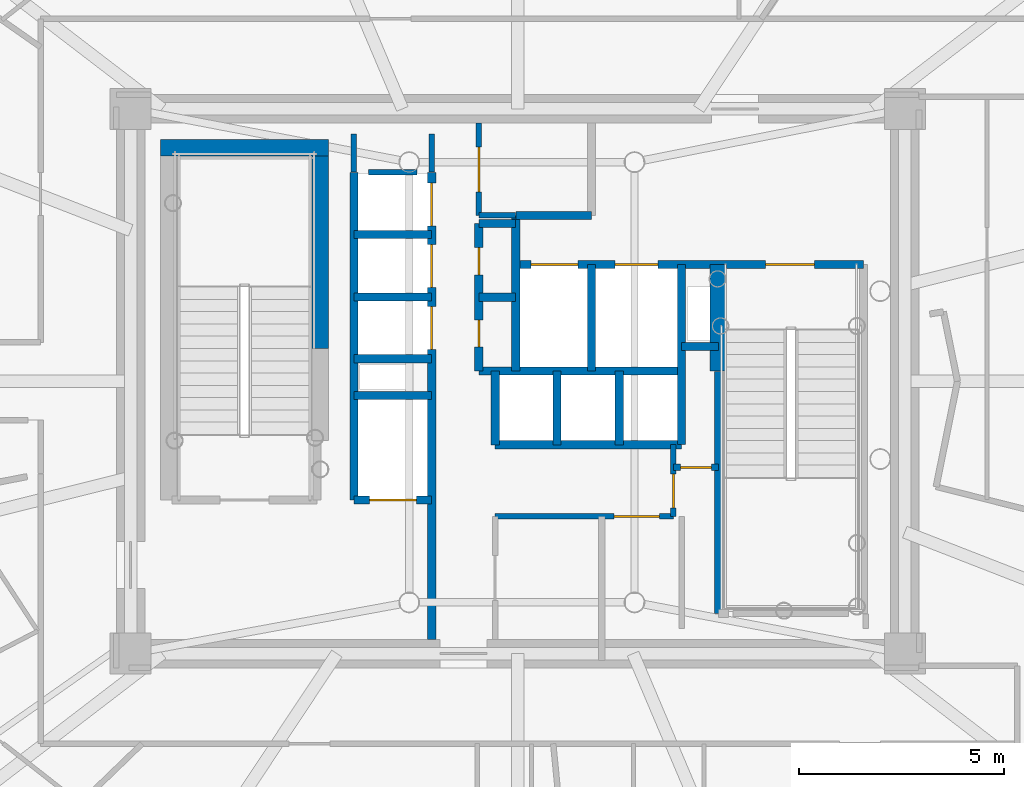
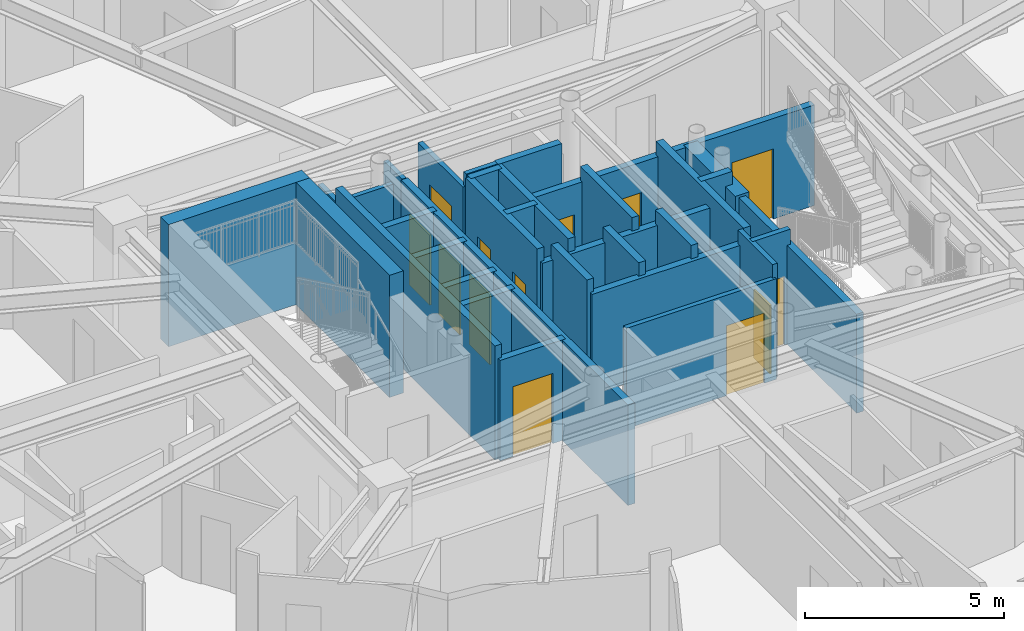
# One storey, part 11 of 21: 33 walls, 13 doors, 13 openings.
"""IFC4 building model written with IfcOpenShell, lengths in metres."""

from ifc_helpers import new_model, si_unit, direction, frame, frame_2d, origin, origin_2d, place, context, subcontext, project, spatial, rectangle, extrude, source, transform, mapped, material, layer, layer_set, type_object, element, fill, save


model = new_model("IFC4")

# Units and contexts
model_context = context("Model", 3, precision=1e-05, world=origin(), true_north=direction((0.0, 1.0)))
body_context = subcontext(model_context, "Body", "Model", "MODEL_VIEW")
ifc_project = project(units=[si_unit("LENGTHUNIT", "METRE"), si_unit("AREAUNIT", "SQUARE_METRE"), si_unit("VOLUMEUNIT", "CUBIC_METRE"), si_unit("PLANEANGLEUNIT", "RADIAN"), si_unit("MASSUNIT", "GRAM", prefix="KILO")], contexts=[model_context])

# Site, building, storey
site_placement = place(None, origin())
site = spatial("IfcSite", under=ifc_project, at=site_placement, CompositionType="ELEMENT")
building_placement = place(site_placement, origin())
building = spatial("IfcBuilding", under=site, at=building_placement, Name="Linh Dai School and Residence Tower", CompositionType="ELEMENT")
storey_placement = place(building_placement, frame((0.0, 0.0, 251.550048828125)))
storey = spatial("IfcBuildingStorey", under=building, at=storey_placement, Name="L62", CompositionType="ELEMENT", Elevation=251.550048828125)

# Wall, opening, door
ifc_material_1 = material(Name="Autoclaved Aerated Concrete Blockwork", Category="masonry")
ifc_layer_1 = layer(ifc_material_1, 0.135009765625)
ifc_layer_set_1 = layer_set([ifc_layer_1], Name="Autoclaved Aerated Concrete Blockwork")
wall_type_1 = type_object("IfcWallType", Name="IW-CORR-135-EI90", PredefinedType="PARTITIONING", material=ifc_layer_set_1)
wall_1_placement = place(storey_placement, frame((35.050048828125, 31.050048828125, 0.0), z_axis=(0.0, 0.0, 1.0), x_axis=(0.0, 1.0, 0.0)))
wall_1 = element("IfcWall", 1, at=wall_1_placement, inside=storey, type_object=wall_type_1, Name="L62 Interior Partition Wall 043", PredefinedType="PARTITIONING", context=body_context, shape_type="SweptSolid", body=[
    extrude(rectangle(XDim=2.25, YDim=0.135009765625, at=frame_2d((1.125, 0.0))), origin(), (0.0, 0.0, 1.0), 3.0849609375),
])
opening_1_placement = place(wall_1_placement, frame((0.574951171875, 0.0, 0.0)))
opening_1 = element("IfcOpeningElement", 2, at=opening_1_placement, cuts=wall_1, Name="Opening D07", PredefinedType="OPENING", context=body_context, shape_type="SweptSolid", body=[
    extrude(rectangle(XDim=1.10009765625, YDim=2.14990234375, at=origin_2d()), frame((0.550048828125, 0.07763671875, 1.074951171875), z_axis=(0.0, -1.0, 0.0), x_axis=(1.0, 0.0, 0.0)), (0.0, 0.0, 1.0), 0.155029296875),
])
ifc_material_2 = material(Name="Fire-Rated Louvred Steel Plant Door", Category="steel")
door_type_1 = type_object("IfcDoorType", Name="DR-PLT-1100x2150-FD60S", OperationType="NOTDEFINED", PredefinedType="DOOR", material=ifc_material_2)
shared_shape_1 = source(origin(), body_context, "Body", "SweptSolid", [
    extrude(rectangle(XDim=1.10009765625, YDim=2.14990234375, at=origin_2d()), frame((0.550048828125, 0.02490234375, 1.074951171875), z_axis=(0.0, -1.0, 0.0), x_axis=(1.0, 0.0, 0.0)), (0.0, 0.0, 1.0), 0.050048828125),
])
door_1_placement = place(opening_1_placement, origin())
door_1 = element("IfcDoor", 3, at=door_1_placement, inside=storey, type_object=door_type_1, Name="L62 North Telecom Switchroom Door", OperationType="SINGLE_SWING_RIGHT", OverallHeight=2.14990234375, OverallWidth=1.10009765625, PredefinedType="DOOR", context=body_context, shape_type="MappedRepresentation", body=[
    mapped(shared_shape_1, transform((0.0, 0.0, 0.0), x_axis=(1.0, 0.0, 0.0), y_axis=(0.0, 1.0, 0.0), z_axis=(0.0, 0.0, 1.0), scale=1.0)),
])
fill(opening_1, door_1)

# Wall
wall_2_placement = place(storey_placement, frame((35.050048828125, 31.050048828125, 0.0), z_axis=(0.0, 0.0, 1.0), x_axis=(1.0, 0.0, 0.0)))
element("IfcWall", 4, at=wall_2_placement, inside=storey, type_object=wall_type_1, Name="L62 Interior Partition Wall 044", PredefinedType="PARTITIONING", context=body_context, shape_type="SweptSolid", body=[
    extrude(rectangle(XDim=0.89990234375, YDim=0.135009765625, at=frame_2d((0.449951171875, 0.0))), origin(), (0.0, 0.0, 1.0), 3.5),
])

# Wall, opening, door
wall_3_placement = place(storey_placement, frame((35.449951171875, 23.699951171875, 0.0), z_axis=(0.0, 0.0, 1.0), x_axis=(1.0, 0.0, 0.0)))
wall_3 = element("IfcWall", 5, at=wall_3_placement, inside=storey, type_object=wall_type_1, Name="L62 Interior Partition Wall 046", PredefinedType="PARTITIONING", context=body_context, shape_type="SweptSolid", body=[
    extrude(rectangle(XDim=4.35009765625, YDim=0.135009765625, at=frame_2d((2.175048828125, 0.0))), origin(), (0.0, 0.0, 1.0), 3.0849609375),
])
opening_2_placement = place(wall_3_placement, frame((2.905029296875, 0.0, 0.0)))
opening_2 = element("IfcOpeningElement", 6, at=opening_2_placement, cuts=wall_3, Name="Opening D07", PredefinedType="OPENING", context=body_context, shape_type="SweptSolid", body=[
    extrude(rectangle(XDim=1.10009765625, YDim=2.14990234375, at=origin_2d()), frame((0.550048828125, 0.07763671875, 1.074951171875), z_axis=(0.0, -1.0, 0.0), x_axis=(1.0, 0.0, 0.0)), (0.0, 0.0, 1.0), 0.155029296875),
])
door_2_placement = place(opening_2_placement, origin())
door_2 = element("IfcDoor", 7, at=door_2_placement, inside=storey, type_object=door_type_1, Name="L62 Telecom Node Room Door", OperationType="SINGLE_SWING_LEFT", OverallHeight=2.14990234375, OverallWidth=1.10009765625, PredefinedType="DOOR", context=body_context, shape_type="MappedRepresentation", body=[
    mapped(shared_shape_1, transform((0.0, 0.0, 0.0), x_axis=(1.0, 0.0, 0.0), y_axis=(0.0, 1.0, 0.0), z_axis=(0.0, 0.0, 1.0), scale=1.0)),
])
fill(opening_2, door_2)

wall_4_placement = place(storey_placement, frame((39.800048828125, 23.699951171875, 0.0), z_axis=(0.0, 0.0, 1.0), x_axis=(0.0, 1.0, 0.0)))
wall_4 = element("IfcWall", 8, at=wall_4_placement, inside=storey, type_object=wall_type_1, Name="L62 Interior Partition Wall 063", PredefinedType="PARTITIONING", context=body_context, shape_type="SweptSolid", body=[
    extrude(rectangle(XDim=1.75, YDim=0.135009765625, at=frame_2d((0.875, 0.0))), origin(), (0.0, 0.0, 1.0), 3.5),
])
opening_3_placement = place(wall_4_placement, frame((0.2099609375, 0.0, 0.0)))
opening_3 = element("IfcOpeningElement", 9, at=opening_3_placement, cuts=wall_4, Name="Opening D06", PredefinedType="OPENING", context=body_context, shape_type="SweptSolid", body=[
    extrude(rectangle(XDim=0.820068359375, YDim=2.10009765625, at=origin_2d()), frame((0.41015625, 0.07763671875, 1.050048828125), z_axis=(0.0, -1.0, 0.0), x_axis=(1.0, 0.0, 0.0)), (0.0, 0.0, 1.0), 0.155029296875),
])
ifc_material_3 = material(Name="Moisture-Resistant Timber Bathroom Door", Category="wood")
door_type_2 = type_object("IfcDoorType", Name="DR-WET-820x2100", OperationType="NOTDEFINED", PredefinedType="DOOR", material=ifc_material_3)
shared_shape_2 = source(origin(), body_context, "Body", "SweptSolid", [
    extrude(rectangle(XDim=0.820068359375, YDim=2.10009765625, at=origin_2d()), frame((0.41015625, 0.02490234375, 1.050048828125), z_axis=(0.0, -1.0, 0.0), x_axis=(1.0, 0.0, 0.0)), (0.0, 0.0, 1.0), 0.050048828125),
])
door_3_placement = place(opening_3_placement, origin())
door_3 = element("IfcDoor", 10, at=door_3_placement, inside=storey, type_object=door_type_2, Name="L62 SE Electrical Closet Door", OperationType="SINGLE_SWING_LEFT", OverallHeight=2.10009765625, OverallWidth=0.820068359375, PredefinedType="DOOR", context=body_context, shape_type="MappedRepresentation", body=[
    mapped(shared_shape_2, transform((0.0, 0.0, 0.0), x_axis=(1.0, 0.0, 0.0), y_axis=(0.0, 1.0, 0.0), z_axis=(0.0, 0.0, 1.0), scale=1.0)),
])
fill(opening_3, door_3)

# Walls
wall_5_placement = place(storey_placement, frame((32.360107421875, 32.10009765625, 0.0), z_axis=(0.0, 0.0, 1.0), x_axis=(1.0, 0.0, 0.0)))
element("IfcWall", 11, at=wall_5_placement, inside=storey, type_object=wall_type_1, Name="L62 Interior Partition Wall 093", PredefinedType="PARTITIONING", context=body_context, shape_type="SweptSolid", body=[
    extrude(rectangle(XDim=1.179931640625, YDim=0.135009765625, at=frame_2d((0.58984375, 0.0))), origin(), (0.0, 0.0, 1.0), 3.0849609375),
])
wall_6_placement = place(storey_placement, frame((32.0, 33.0400390625, 0.0), z_axis=(0.0, 0.0, 1.0), x_axis=(0.0, -1.0, 0.0)))
element("IfcWall", 12, at=wall_6_placement, inside=storey, type_object=wall_type_1, Name="L62 Interior Partition Wall 095", PredefinedType="PARTITIONING", context=body_context, shape_type="SweptSolid", body=[
    extrude(rectangle(XDim=0.929931640625, YDim=0.135009765625, at=frame_2d((0.46484375, 0.0))), origin(), (0.0, 0.0, 1.0), 3.034912109375),
])
wall_7_placement = place(storey_placement, frame((33.89990234375, 32.110107421875, 0.0), z_axis=(0.0, 0.0, 1.0), x_axis=(0.0, 1.0, 0.0)))
element("IfcWall", 13, at=wall_7_placement, inside=storey, type_object=wall_type_1, Name="L62 Interior Partition Wall 097", PredefinedType="PARTITIONING", context=body_context, shape_type="SweptSolid", body=[
    extrude(rectangle(XDim=0.929931640625, YDim=0.135009765625, at=frame_2d((0.46484375, 0.0))), origin(), (0.0, 0.0, 1.0), 3.0849609375),
])

# Wall, opening, door
ifc_layer_2 = layer(ifc_material_1, 0.14990234375)
ifc_layer_set_2 = layer_set([ifc_layer_2], Name="Autoclaved Aerated Concrete Blockwork")
wall_type_2 = type_object("IfcWallType", Name="IW-SCH-150-EI60", PredefinedType="PARTITIONING", material=ifc_layer_set_2)
wall_8_placement = place(storey_placement, frame((39.800048828125, 24.89990234375, 0.0), z_axis=(0.0, 0.0, 1.0), x_axis=(1.0, 0.0, 0.0)))
wall_8 = element("IfcWall", 14, at=wall_8_placement, inside=storey, type_object=wall_type_2, Name="L62 Interior Partition Wall 064", PredefinedType="PARTITIONING", context=body_context, shape_type="SweptSolid", body=[
    extrude(rectangle(XDim=1.099853515625, YDim=0.14990234375, at=frame_2d((0.5498046875, 0.0))), origin(), (0.0, 0.0, 1.0), 3.5),
])
opening_4_placement = place(wall_8_placement, frame((0.169921875, 0.0, 0.0)))
opening_4 = element("IfcOpeningElement", 15, at=opening_4_placement, cuts=wall_8, Name="Opening D08", PredefinedType="OPENING", context=body_context, shape_type="SweptSolid", body=[
    extrude(rectangle(XDim=0.760009765625, YDim=2.10009765625, at=origin_2d()), frame((0.3798828125, 0.0849609375, 1.050048828125), z_axis=(0.0, -1.0, 0.0), x_axis=(1.0, 0.0, 0.0)), (0.0, 0.0, 1.0), 0.169921875),
])
ifc_material_4 = material(Name="Engineered Timber Closet and Study Door", Category="wood")
door_type_3 = type_object("IfcDoorType", Name="DR-CMP-760x2100", OperationType="NOTDEFINED", PredefinedType="DOOR", material=ifc_material_4)
shared_shape_3 = source(origin(), body_context, "Body", "SweptSolid", [
    extrude(rectangle(XDim=0.760009765625, YDim=2.10009765625, at=origin_2d()), frame((0.3798828125, 0.02490234375, 1.050048828125), z_axis=(0.0, -1.0, 0.0), x_axis=(1.0, 0.0, 0.0)), (0.0, 0.0, 1.0), 0.050048828125),
])
door_4_placement = place(opening_4_placement, origin())
door_4 = element("IfcDoor", 16, at=door_4_placement, inside=storey, type_object=door_type_3, Name="L62 NE Equipment Store Door", OperationType="SINGLE_SWING_RIGHT", OverallHeight=2.10009765625, OverallWidth=0.760009765625, PredefinedType="DOOR", context=body_context, shape_type="MappedRepresentation", body=[
    mapped(shared_shape_3, transform((0.0, 0.0, 0.0), x_axis=(1.0, 0.0, 0.0), y_axis=(0.0, 1.0, 0.0), z_axis=(0.0, 0.0, 1.0), scale=1.0)),
])
fill(opening_4, door_4)

# Wall
ifc_material_5 = material(Name="Concrete B45 (C35/45)", Category="concrete")
ifc_layer_3 = layer(ifc_material_5, 0.199951171875)
ifc_layer_set_3 = layer_set([ifc_layer_3], Name="Concrete B45 (C35/45)")
wall_type_3 = type_object("IfcWallType", Name="IW-SHAFT-200-EI120", PredefinedType="PARTITIONING", material=ifc_layer_set_3)
wall_9_placement = place(storey_placement, frame((32.0, 24.10009765625, 0.0), z_axis=(0.0, 0.0, 1.0), x_axis=(0.0, 1.0, 0.0)))
element("IfcWall", 17, at=wall_9_placement, inside=storey, type_object=wall_type_3, Name="L62 Interior Partition Wall 029", PredefinedType="PARTITIONING", context=body_context, shape_type="SweptSolid", body=[
    extrude(rectangle(XDim=8.0, YDim=0.199951171875, at=frame_2d((4.0, 0.0))), origin(), (0.0, 0.0, 1.0), 3.5),
])

# Wall, opening, door
wall_10_placement = place(storey_placement, frame((32.0, 24.10009765625, 0.0), z_axis=(0.0, 0.0, 1.0), x_axis=(1.0, 0.0, 0.0)))
wall_10 = element("IfcWall", 18, at=wall_10_placement, inside=storey, type_object=wall_type_3, Name="L62 Interior Partition Wall 030", PredefinedType="PARTITIONING", context=body_context, shape_type="SweptSolid", body=[
    extrude(rectangle(XDim=1.89990234375, YDim=0.199951171875, at=frame_2d((0.949951171875, 0.0))), origin(), (0.0, 0.0, 1.0), 3.0849609375),
])
opening_5_placement = place(wall_10_placement, frame((0.375, 0.0, 0.0)))
opening_5 = element("IfcOpeningElement", 19, at=opening_5_placement, cuts=wall_10, Name="Opening LD-FF2", PredefinedType="OPENING", context=body_context, shape_type="SweptSolid", body=[
    extrude(rectangle(XDim=1.14990234375, YDim=2.14990234375, at=origin_2d()), frame((0.574951171875, 0.10986328125, 1.074951171875), z_axis=(0.0, -1.0, 0.0), x_axis=(1.0, 0.0, 0.0)), (0.0, 0.0, 1.0), 0.219970703125),
])
ifc_material_6 = material(Name="Fire-Rated Stainless Steel Firefighting Lift Door", Category="steel")
door_type_4 = type_object("IfcDoorType", Name="DR-LD-FF-1150x2150-FD120", OperationType="DOUBLE_DOOR_SLIDING", PredefinedType="USERDEFINED", material=ifc_material_6)
shared_shape_4 = source(origin(), body_context, "Body", "SweptSolid", [
    extrude(rectangle(XDim=1.14990234375, YDim=2.14990234375, at=origin_2d()), frame((0.574951171875, 0.02490234375, 1.074951171875), z_axis=(0.0, -1.0, 0.0), x_axis=(1.0, 0.0, 0.0)), (0.0, 0.0, 1.0), 0.050048828125),
])
door_5_placement = place(opening_5_placement, origin())
door_5 = element("IfcDoor", 20, at=door_5_placement, inside=storey, type_object=door_type_4, Name="L62 Lift FF2 Sliding Landing Door", ObjectType="LANDING DOOR", OperationType="DOUBLE_DOOR_SLIDING", OverallHeight=2.14990234375, OverallWidth=1.14990234375, PredefinedType="USERDEFINED", context=body_context, shape_type="MappedRepresentation", body=[
    mapped(shared_shape_4, transform((0.0, 0.0, 0.0), x_axis=(1.0, 0.0, 0.0), y_axis=(0.0, 1.0, 0.0), z_axis=(0.0, 0.0, 1.0), scale=1.0)),
])
fill(opening_5, door_5)

# Walls
for number, where, z_axis, x_axis, name in (
    (21, (32.0, 26.64990234375, 0.0), (0.0, 0.0, 1.0), (1.0, 0.0, 0.0), "L62 Interior Partition Wall 031"),
    (22, (32.0, 27.550048828125, 0.0), (0.0, 0.0, 1.0), (1.0, 0.0, 0.0), "L62 Interior Partition Wall 032"),
    (23, (32.0, 29.06005859375, 0.0), (0.0, 0.0, 1.0), (1.0, 0.0, 0.0), "L62 Interior Partition Wall 033"),
    (24, (32.0, 30.580078125, 0.0), (0.0, 0.0, 1.0), (1.0, 0.0, 0.0), "L62 Interior Partition Wall 034"),
):
    element("IfcWall", number, at=place(storey_placement, frame(where, z_axis=z_axis, x_axis=x_axis)), inside=storey, type_object=wall_type_3, Name=name, PredefinedType="PARTITIONING", context=body_context, shape_type="SweptSolid", body=[
        extrude(rectangle(XDim=1.89990234375, YDim=0.199951171875, at=frame_2d((0.949951171875, 0.0))), origin(), (0.0, 0.0, 1.0), 3.0849609375),
    ])

# Wall, openings, doors
wall_11_placement = place(storey_placement, frame((33.89990234375, 20.699951171875, 0.0), z_axis=(0.0, 0.0, 1.0), x_axis=(0.0, 1.0, 0.0)))
wall_11 = element("IfcWall", 25, at=wall_11_placement, inside=storey, type_object=wall_type_3, Name="L62 Interior Partition Wall 037", PredefinedType="PARTITIONING", context=body_context, shape_type="SweptSolid", body=[
    extrude(rectangle(XDim=11.400146484375, YDim=0.199951171875, at=frame_2d((5.7001953125, 0.0))), origin(), (0.0, 0.0, 1.0), 3.0849609375),
])
opening_6_placement = place(wall_11_placement, frame((7.080078125, 0.0, 0.0)))
opening_6 = element("IfcOpeningElement", 26, at=opening_6_placement, cuts=wall_11, Name="Opening LD-PL4", PredefinedType="OPENING", context=body_context, shape_type="SweptSolid", body=[
    extrude(rectangle(XDim=1.050048828125, YDim=2.14990234375, at=origin_2d()), frame((0.52490234375, 0.10986328125, 1.074951171875), z_axis=(0.0, -1.0, 0.0), x_axis=(1.0, 0.0, 0.0)), (0.0, 0.0, 1.0), 0.219970703125),
])
opening_7_placement = place(wall_11_placement, frame((8.594970703125, 0.0, 0.0)))
opening_7 = element("IfcOpeningElement", 27, at=opening_7_placement, cuts=wall_11, Name="Opening LD-PL5", PredefinedType="OPENING", context=body_context, shape_type="SweptSolid", body=[
    extrude(rectangle(XDim=1.050048828125, YDim=2.14990234375, at=origin_2d()), frame((0.52490234375, 0.10986328125, 1.074951171875), z_axis=(0.0, -1.0, 0.0), x_axis=(1.0, 0.0, 0.0)), (0.0, 0.0, 1.0), 0.219970703125),
])
opening_8_placement = place(wall_11_placement, frame((10.094970703125, 0.0, 0.0)))
opening_8 = element("IfcOpeningElement", 28, at=opening_8_placement, cuts=wall_11, Name="Opening LD-PL6", PredefinedType="OPENING", context=body_context, shape_type="SweptSolid", body=[
    extrude(rectangle(XDim=1.050048828125, YDim=2.14990234375, at=origin_2d()), frame((0.52490234375, 0.10986328125, 1.074951171875), z_axis=(0.0, -1.0, 0.0), x_axis=(1.0, 0.0, 0.0)), (0.0, 0.0, 1.0), 0.219970703125),
])
ifc_material_7 = material(Name="Brushed Stainless Steel Lift Landing Door", Category="steel")
door_type_5 = type_object("IfcDoorType", Name="DR-LD-PASS-1050x2150", OperationType="DOUBLE_DOOR_SLIDING", PredefinedType="USERDEFINED", material=ifc_material_7)
shared_shape_5 = source(origin(), body_context, "Body", "SweptSolid", [
    extrude(rectangle(XDim=1.050048828125, YDim=2.14990234375, at=origin_2d()), frame((0.52490234375, 0.02490234375, 1.074951171875), z_axis=(0.0, -1.0, 0.0), x_axis=(1.0, 0.0, 0.0)), (0.0, 0.0, 1.0), 0.050048828125),
])
door_6_placement = place(opening_6_placement, origin())
door_6 = element("IfcDoor", 29, at=door_6_placement, inside=storey, type_object=door_type_5, Name="L62 Lift PL4 Sliding Landing Door", ObjectType="LANDING DOOR", OperationType="DOUBLE_DOOR_SLIDING", OverallHeight=2.14990234375, OverallWidth=1.050048828125, PredefinedType="USERDEFINED", context=body_context, shape_type="MappedRepresentation", body=[
    mapped(shared_shape_5, transform((0.0, 0.0, 0.0), x_axis=(1.0, 0.0, 0.0), y_axis=(0.0, 1.0, 0.0), z_axis=(0.0, 0.0, 1.0), scale=1.0)),
])
fill(opening_6, door_6)
door_7_placement = place(opening_7_placement, origin())
door_7 = element("IfcDoor", 30, at=door_7_placement, inside=storey, type_object=door_type_5, Name="L62 Lift PL5 Sliding Landing Door", ObjectType="LANDING DOOR", OperationType="DOUBLE_DOOR_SLIDING", OverallHeight=2.14990234375, OverallWidth=1.050048828125, PredefinedType="USERDEFINED", context=body_context, shape_type="MappedRepresentation", body=[
    mapped(shared_shape_5, transform((0.0, 0.0, 0.0), x_axis=(1.0, 0.0, 0.0), y_axis=(0.0, 1.0, 0.0), z_axis=(0.0, 0.0, 1.0), scale=1.0)),
])
fill(opening_7, door_7)
door_8_placement = place(opening_8_placement, origin())
door_8 = element("IfcDoor", 31, at=door_8_placement, inside=storey, type_object=door_type_5, Name="L62 Lift PL6 Sliding Landing Door", ObjectType="LANDING DOOR", OperationType="DOUBLE_DOOR_SLIDING", OverallHeight=2.14990234375, OverallWidth=1.050048828125, PredefinedType="USERDEFINED", context=body_context, shape_type="MappedRepresentation", body=[
    mapped(shared_shape_5, transform((0.0, 0.0, 0.0), x_axis=(1.0, 0.0, 0.0), y_axis=(0.0, 1.0, 0.0), z_axis=(0.0, 0.0, 1.0), scale=1.0)),
])
fill(opening_8, door_8)

wall_12_placement = place(storey_placement, frame((35.050048828125, 27.25, 0.0), z_axis=(0.0, 0.0, 1.0), x_axis=(0.0, 1.0, 0.0)))
wall_12 = element("IfcWall", 32, at=wall_12_placement, inside=storey, type_object=wall_type_3, Name="L62 Interior Partition Wall 039", PredefinedType="PARTITIONING", context=body_context, shape_type="SweptSolid", body=[
    extrude(rectangle(XDim=3.60009765625, YDim=0.199951171875, at=frame_2d((1.800048828125, 0.0))), origin(), (0.0, 0.0, 1.0), 3.5),
])
opening_9_placement = place(wall_12_placement, frame((0.590087890625, 0.0, 0.0)))
opening_9 = element("IfcOpeningElement", 33, at=opening_9_placement, cuts=wall_12, Name="Opening AD1", PredefinedType="OPENING", context=body_context, shape_type="SweptSolid", body=[
    extrude(rectangle(XDim=0.659912109375, YDim=2.050048828125, at=origin_2d()), frame((0.330078125, 0.10986328125, 1.02490234375), z_axis=(0.0, -1.0, 0.0), x_axis=(1.0, 0.0, 0.0)), (0.0, 0.0, 1.0), 0.219970703125),
])
opening_10_placement = place(wall_12_placement, frame((2.35009765625, 0.0, 0.0)))
opening_10 = element("IfcOpeningElement", 34, at=opening_10_placement, cuts=wall_12, Name="Opening AD1", PredefinedType="OPENING", context=body_context, shape_type="SweptSolid", body=[
    extrude(rectangle(XDim=0.659912109375, YDim=2.050048828125, at=origin_2d()), frame((0.330078125, 0.10986328125, 1.02490234375), z_axis=(0.0, -1.0, 0.0), x_axis=(1.0, 0.0, 0.0)), (0.0, 0.0, 1.0), 0.219970703125),
])
ifc_material_8 = material(Name="Fire-Rated Steel Riser Access Door", Category="steel")
door_type_6 = type_object("IfcDoorType", Name="DR-ACC-660x2050-FD90S", OperationType="NOTDEFINED", PredefinedType="USERDEFINED", material=ifc_material_8)
shared_shape_6 = source(origin(), body_context, "Body", "SweptSolid", [
    extrude(rectangle(XDim=0.659912109375, YDim=2.050048828125, at=origin_2d()), frame((0.330078125, 0.02490234375, 1.02490234375), z_axis=(0.0, -1.0, 0.0), x_axis=(1.0, 0.0, 0.0)), (0.0, 0.0, 1.0), 0.050048828125),
])
door_9_placement = place(opening_9_placement, origin())
door_9 = element("IfcDoor", 35, at=door_9_placement, inside=storey, type_object=door_type_6, Name="L62 Telecom and Data Riser Access Door", ObjectType="ACCESS DOOR", OperationType="SINGLE_SWING_RIGHT", OverallHeight=2.050048828125, OverallWidth=0.659912109375, PredefinedType="USERDEFINED", context=body_context, shape_type="MappedRepresentation", body=[
    mapped(shared_shape_6, transform((0.0, 0.0, 0.0), x_axis=(1.0, 0.0, 0.0), y_axis=(0.0, 1.0, 0.0), z_axis=(0.0, 0.0, 1.0), scale=1.0)),
])
fill(opening_9, door_9)
door_10_placement = place(opening_10_placement, origin())
door_10 = element("IfcDoor", 36, at=door_10_placement, inside=storey, type_object=door_type_6, Name="L62 Mechanical and Plumbing Riser Access Door", ObjectType="ACCESS DOOR", OperationType="SINGLE_SWING_LEFT", OverallHeight=2.050048828125, OverallWidth=0.659912109375, PredefinedType="USERDEFINED", context=body_context, shape_type="MappedRepresentation", body=[
    mapped(shared_shape_6, transform((0.0, 0.0, 0.0), x_axis=(1.0, 0.0, 0.0), y_axis=(0.0, 1.0, 0.0), z_axis=(0.0, 0.0, 1.0), scale=1.0)),
])
fill(opening_10, door_10)

# Walls
wall_13_placement = place(storey_placement, frame((35.050048828125, 27.25, 0.0), z_axis=(0.0, 0.0, 1.0), x_axis=(1.0, 0.0, 0.0)))
element("IfcWall", 37, at=wall_13_placement, inside=storey, type_object=wall_type_3, Name="L62 Interior Partition Wall 040", PredefinedType="PARTITIONING", context=body_context, shape_type="SweptSolid", body=[
    extrude(rectangle(XDim=4.949951171875, YDim=0.199951171875, at=frame_2d((2.47509765625, 0.0))), origin(), (0.0, 0.0, 1.0), 3.0849609375),
])
for number, where, z_axis, x_axis, name in (
    (38, (35.050048828125, 29.050048828125, 0.0), (0.0, 0.0, 1.0), (1.0, 0.0, 0.0), "L62 Interior Partition Wall 041"),
    (39, (35.050048828125, 30.85009765625, 0.0), (0.0, 0.0, 1.0), (1.0, 0.0, 0.0), "L62 Interior Partition Wall 042"),
):
    element("IfcWall", number, at=place(storey_placement, frame(where, z_axis=z_axis, x_axis=x_axis)), inside=storey, type_object=wall_type_3, Name=name, PredefinedType="PARTITIONING", context=body_context, shape_type="SweptSolid", body=[
        extrude(rectangle(XDim=0.89990234375, YDim=0.199951171875, at=frame_2d((0.449951171875, 0.0))), origin(), (0.0, 0.0, 1.0), 3.5),
    ])
wall_14_placement = place(storey_placement, frame((35.449951171875, 25.449951171875, 0.0), z_axis=(0.0, 0.0, 1.0), x_axis=(0.0, 1.0, 0.0)))
element("IfcWall", 40, at=wall_14_placement, inside=storey, type_object=wall_type_3, Name="L62 Interior Partition Wall 047", PredefinedType="PARTITIONING", context=body_context, shape_type="SweptSolid", body=[
    extrude(rectangle(XDim=1.800048828125, YDim=0.199951171875, at=frame_2d((0.89990234375, 0.0))), origin(), (0.0, 0.0, 1.0), 3.5),
])
wall_15_placement = place(storey_placement, frame((35.449951171875, 25.449951171875, 0.0), z_axis=(0.0, 0.0, 1.0), x_axis=(1.0, 0.0, 0.0)))
element("IfcWall", 41, at=wall_15_placement, inside=storey, type_object=wall_type_3, Name="L62 Interior Partition Wall 048", PredefinedType="PARTITIONING", context=body_context, shape_type="SweptSolid", body=[
    extrude(rectangle(XDim=4.550048828125, YDim=0.199951171875, at=frame_2d((2.27490234375, 0.0))), origin(), (0.0, 0.0, 1.0), 3.0849609375),
])
wall_16_placement = place(storey_placement, frame((35.949951171875, 27.25, 0.0), z_axis=(0.0, 0.0, 1.0), x_axis=(0.0, 1.0, 0.0)))
element("IfcWall", 42, at=wall_16_placement, inside=storey, type_object=wall_type_3, Name="L62 Interior Partition Wall 049", PredefinedType="PARTITIONING", context=body_context, shape_type="SweptSolid", body=[
    extrude(rectangle(XDim=3.800048828125, YDim=0.199951171875, at=frame_2d((1.89990234375, 0.0))), origin(), (0.0, 0.0, 1.0), 3.5),
])

# Wall, openings, doors
wall_17_placement = place(storey_placement, frame((35.949951171875, 29.85009765625, 0.0), z_axis=(0.0, 0.0, 1.0), x_axis=(1.0, 0.0, 0.0)))
wall_17 = element("IfcWall", 43, at=wall_17_placement, inside=storey, type_object=wall_type_3, Name="L62 Interior Partition Wall 050", PredefinedType="PARTITIONING", context=body_context, shape_type="SweptSolid", body=[
    extrude(rectangle(XDim=8.489990234375, YDim=0.199951171875, at=frame_2d((4.2451171875, 0.0))), origin(), (0.0, 0.0, 1.0), 3.0849609375),
])
opening_11_placement = place(wall_17_placement, frame((6.10009765625, 0.0, 0.0)))
opening_11 = element("IfcOpeningElement", 44, at=opening_11_placement, cuts=wall_17, Name="Opening D01", PredefinedType="OPENING", context=body_context, shape_type="SweptSolid", body=[
    extrude(rectangle(XDim=1.199951171875, YDim=2.14990234375, at=origin_2d()), frame((0.60009765625, 0.10986328125, 1.074951171875), z_axis=(0.0, -1.0, 0.0), x_axis=(1.0, 0.0, 0.0)), (0.0, 0.0, 1.0), 0.219970703125),
])
opening_12_placement = place(wall_17_placement, frame((0.3701171875, 0.0, 0.0)))
opening_12 = element("IfcOpeningElement", 45, at=opening_12_placement, cuts=wall_17, Name="Opening LD-FF1", PredefinedType="OPENING", context=body_context, shape_type="SweptSolid", body=[
    extrude(rectangle(XDim=1.14990234375, YDim=2.14990234375, at=origin_2d()), frame((0.574951171875, 0.10986328125, 1.074951171875), z_axis=(0.0, -1.0, 0.0), x_axis=(1.0, 0.0, 0.0)), (0.0, 0.0, 1.0), 0.219970703125),
])
opening_13_placement = place(wall_17_placement, frame((2.425048828125, 0.0, 0.0)))
opening_13 = element("IfcOpeningElement", 46, at=opening_13_placement, cuts=wall_17, Name="Opening LD-SV1", PredefinedType="OPENING", context=body_context, shape_type="SweptSolid", body=[
    extrude(rectangle(XDim=1.050048828125, YDim=2.14990234375, at=origin_2d()), frame((0.52490234375, 0.10986328125, 1.074951171875), z_axis=(0.0, -1.0, 0.0), x_axis=(1.0, 0.0, 0.0)), (0.0, 0.0, 1.0), 0.219970703125),
])
ifc_material_9 = material(Name="Fire-Rated Steel Door Leaf", Category="steel")
door_type_7 = type_object("IfcDoorType", Name="DR-STAIR-1200x2150-FD90S", OperationType="NOTDEFINED", PredefinedType="DOOR", material=ifc_material_9)
shared_shape_7 = source(origin(), body_context, "Body", "SweptSolid", [
    extrude(rectangle(XDim=1.199951171875, YDim=2.14990234375, at=origin_2d()), frame((0.60009765625, 0.02490234375, 1.074951171875), z_axis=(0.0, -1.0, 0.0), x_axis=(1.0, 0.0, 0.0)), (0.0, 0.0, 1.0), 0.050048828125),
])
door_11_placement = place(opening_11_placement, origin())
door_11 = element("IfcDoor", 47, at=door_11_placement, inside=storey, type_object=door_type_7, Name="L62 Core Smokeproof Exit Stair ST2 Door", OperationType="SINGLE_SWING_LEFT", OverallHeight=2.14990234375, OverallWidth=1.199951171875, PredefinedType="DOOR", context=body_context, shape_type="MappedRepresentation", body=[
    mapped(shared_shape_7, transform((0.0, 0.0, 0.0), x_axis=(1.0, 0.0, 0.0), y_axis=(0.0, 1.0, 0.0), z_axis=(0.0, 0.0, 1.0), scale=1.0)),
])
fill(opening_11, door_11)
door_12_placement = place(opening_12_placement, origin())
door_12 = element("IfcDoor", 48, at=door_12_placement, inside=storey, type_object=door_type_4, Name="L62 Lift FF1 Sliding Landing Door", ObjectType="LANDING DOOR", OperationType="DOUBLE_DOOR_SLIDING", OverallHeight=2.14990234375, OverallWidth=1.14990234375, PredefinedType="USERDEFINED", context=body_context, shape_type="MappedRepresentation", body=[
    mapped(shared_shape_4, transform((0.0, 0.0, 0.0), x_axis=(1.0, 0.0, 0.0), y_axis=(0.0, 1.0, 0.0), z_axis=(0.0, 0.0, 1.0), scale=1.0)),
])
fill(opening_12, door_12)
door_13_placement = place(opening_13_placement, origin())
door_13 = element("IfcDoor", 49, at=door_13_placement, inside=storey, type_object=door_type_5, Name="L62 Lift SV1 Sliding Landing Door", ObjectType="LANDING DOOR", OperationType="DOUBLE_DOOR_SLIDING", OverallHeight=2.14990234375, OverallWidth=1.050048828125, PredefinedType="USERDEFINED", context=body_context, shape_type="MappedRepresentation", body=[
    mapped(shared_shape_5, transform((0.0, 0.0, 0.0), x_axis=(1.0, 0.0, 0.0), y_axis=(0.0, 1.0, 0.0), z_axis=(0.0, 0.0, 1.0), scale=1.0)),
])
fill(opening_13, door_13)

# Walls
wall_18_placement = place(storey_placement, frame((35.9599609375, 31.050048828125, 0.0), z_axis=(0.0, 0.0, 1.0), x_axis=(1.0, 0.0, 0.0)))
element("IfcWall", 50, at=wall_18_placement, inside=storey, type_object=wall_type_3, Name="L62 Interior Partition Wall 051", PredefinedType="PARTITIONING", context=body_context, shape_type="SweptSolid", body=[
    extrude(rectangle(XDim=1.840087890625, YDim=0.199951171875, at=frame_2d((0.919921875, 0.0))), origin(), (0.0, 0.0, 1.0), 3.5),
])
wall_19_placement = place(storey_placement, frame((36.9599609375, 25.449951171875, 0.0), z_axis=(0.0, 0.0, 1.0), x_axis=(0.0, 1.0, 0.0)))
element("IfcWall", 51, at=wall_19_placement, inside=storey, type_object=wall_type_3, Name="L62 Interior Partition Wall 055", PredefinedType="PARTITIONING", context=body_context, shape_type="SweptSolid", body=[
    extrude(rectangle(XDim=1.800048828125, YDim=0.199951171875, at=frame_2d((0.89990234375, 0.0))), origin(), (0.0, 0.0, 1.0), 3.5),
])
wall_20_placement = place(storey_placement, frame((37.800048828125, 27.25, 0.0), z_axis=(0.0, 0.0, 1.0), x_axis=(0.0, 1.0, 0.0)))
element("IfcWall", 52, at=wall_20_placement, inside=storey, type_object=wall_type_3, Name="L62 Interior Partition Wall 057", PredefinedType="PARTITIONING", context=body_context, shape_type="SweptSolid", body=[
    extrude(rectangle(XDim=2.60009765625, YDim=0.199951171875, at=frame_2d((1.300048828125, 0.0))), origin(), (0.0, 0.0, 1.0), 3.5),
])
wall_21_placement = place(storey_placement, frame((38.47998046875, 25.449951171875, 0.0), z_axis=(0.0, 0.0, 1.0), x_axis=(0.0, 1.0, 0.0)))
element("IfcWall", 53, at=wall_21_placement, inside=storey, type_object=wall_type_3, Name="L62 Interior Partition Wall 060", PredefinedType="PARTITIONING", context=body_context, shape_type="SweptSolid", body=[
    extrude(rectangle(XDim=1.800048828125, YDim=0.199951171875, at=frame_2d((0.89990234375, 0.0))), origin(), (0.0, 0.0, 1.0), 3.5),
])
wall_22_placement = place(storey_placement, frame((40.0, 25.449951171875, 0.0), z_axis=(0.0, 0.0, 1.0), x_axis=(0.0, 1.0, 0.0)))
element("IfcWall", 54, at=wall_22_placement, inside=storey, type_object=wall_type_3, Name="L62 Interior Partition Wall 065", PredefinedType="PARTITIONING", context=body_context, shape_type="SweptSolid", body=[
    extrude(rectangle(XDim=4.400146484375, YDim=0.199951171875, at=frame_2d((2.2001953125, 0.0))), origin(), (0.0, 0.0, 1.0), 3.5),
])
wall_23_placement = place(storey_placement, frame((40.0, 27.85009765625, 0.0), z_axis=(0.0, 0.0, 1.0), x_axis=(1.0, 0.0, 0.0)))
element("IfcWall", 55, at=wall_23_placement, inside=storey, type_object=wall_type_3, Name="L62 Interior Partition Wall 066", PredefinedType="PARTITIONING", context=body_context, shape_type="SweptSolid", body=[
    extrude(rectangle(XDim=0.89990234375, YDim=0.199951171875, at=frame_2d((0.449951171875, 0.0))), origin(), (0.0, 0.0, 1.0), 3.5),
])
wall_24_placement = place(storey_placement, frame((40.89990234375, 21.330078125, 0.0), z_axis=(0.0, 0.0, 1.0), x_axis=(0.0, 1.0, 0.0)))
element("IfcWall", 56, at=wall_24_placement, inside=storey, type_object=wall_type_3, Name="L62 Interior Partition Wall 068", PredefinedType="PARTITIONING", context=body_context, shape_type="SweptSolid", body=[
    extrude(rectangle(XDim=5.909912109375, YDim=0.199951171875, at=frame_2d((2.955078125, 0.0))), origin(), (0.0, 0.0, 1.0), 3.034912109375),
])
ifc_layer_4 = layer(ifc_material_5, 0.39990234375)
ifc_layer_set_4 = layer_set([ifc_layer_4], Name="Concrete B45 (C35/45)")
wall_type_4 = type_object("IfcWallType", Name="WL-CORE400", PredefinedType="SHEAR", material=ifc_layer_set_4)
wall_25_placement = place(storey_placement, frame((31.179931640625, 27.800048828125, 0.0), z_axis=(0.0, 0.0, 1.0), x_axis=(0.0, 1.0, 0.0)))
element("IfcWall", 57, at=wall_25_placement, inside=storey, type_object=wall_type_4, Name="L62 Core Stair ST1 Bearing Wall E", PredefinedType="SHEAR", context=body_context, shape_type="SweptSolid", body=[
    extrude(rectangle(XDim=4.89990234375, YDim=0.39990234375, at=frame_2d((2.449951171875, 0.0))), origin(), (0.0, 0.0, 1.0), 3.75),
])
wall_26_placement = place(storey_placement, frame((27.280029296875, 32.699951171875, 0.0), z_axis=(0.0, 0.0, 1.0), x_axis=(1.0, 0.0, 0.0)))
element("IfcWall", 58, at=wall_26_placement, inside=storey, type_object=wall_type_4, Name="L62 Core Stair ST1 Bearing Wall N", PredefinedType="SHEAR", context=body_context, shape_type="SweptSolid", body=[
    extrude(rectangle(XDim=4.099853515625, YDim=0.39990234375, at=frame_2d((2.0498046875, 0.0))), origin(), (0.0, 0.0, 1.0), 3.75),
])
wall_27_placement = place(storey_placement, frame((40.89990234375, 27.25, 0.0), z_axis=(0.0, 0.0, 1.0), x_axis=(0.0, 1.0, 0.0)))
element("IfcWall", 59, at=wall_27_placement, inside=storey, type_object=wall_type_4, Name="L62 Internal Core Shear Wall IE", PredefinedType="SHEAR", context=body_context, shape_type="SweptSolid", body=[
    extrude(rectangle(XDim=2.60009765625, YDim=0.39990234375, at=frame_2d((1.300048828125, 0.0))), origin(), (0.0, 0.0, 1.0), 3.099853515625),
])

save(model, "model.ifc")
